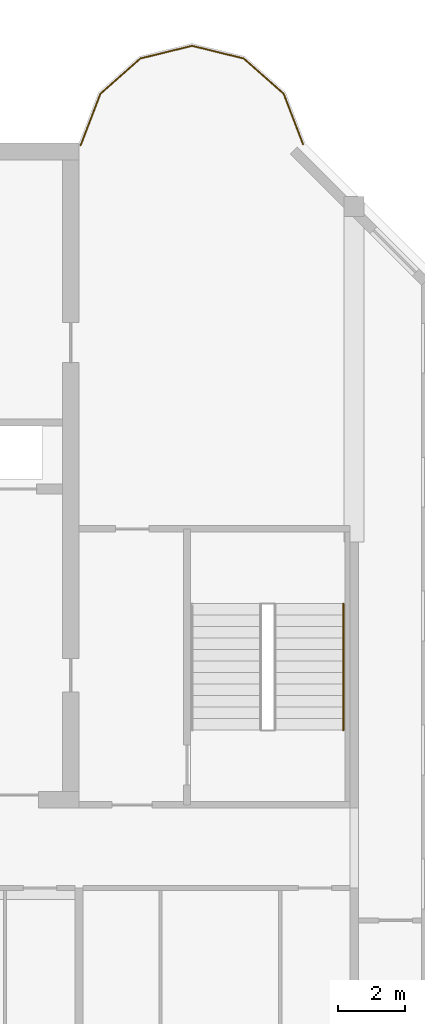
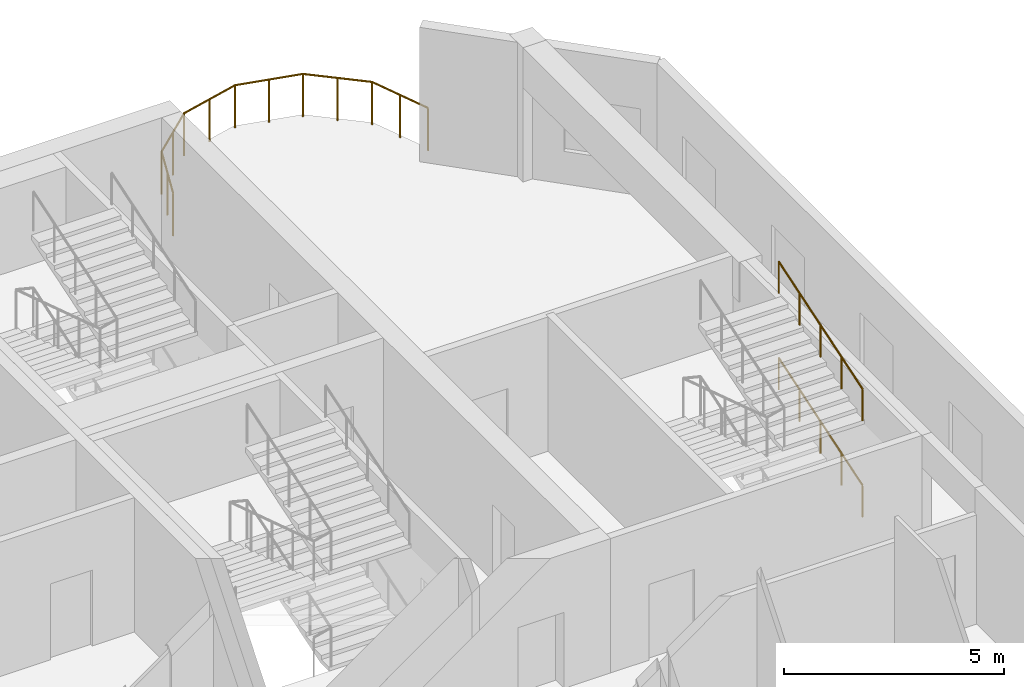
# One storey, part 11 of 12: 3 railings.
"""IFC4 building model written with IfcOpenShell, lengths in metres."""

from ifc_helpers import new_model, si_unit, direction, frame, origin, origin_2d, place, context, subcontext, project, spatial, circle, extrude, source, transform, mapped, material, type_object, element, save


model = new_model("IFC4")

# Units and contexts
model_context = context("Model", 3, precision=1e-05, world=origin(), true_north=direction((0.0, 1.0)))
body_context = subcontext(model_context, "Body", "Model", "MODEL_VIEW")
ifc_project = project(units=[si_unit("LENGTHUNIT", "METRE"), si_unit("AREAUNIT", "SQUARE_METRE"), si_unit("VOLUMEUNIT", "CUBIC_METRE"), si_unit("PLANEANGLEUNIT", "RADIAN"), si_unit("MASSUNIT", "GRAM", prefix="KILO")], contexts=[model_context])

# Site, building, storey
site_placement = place(None, origin())
site = spatial("IfcSite", under=ifc_project, at=site_placement, CompositionType="ELEMENT")
building_placement = place(site_placement, origin())
building = spatial("IfcBuilding", under=site, at=building_placement, Name="Vanashikhar Sky Hotel", CompositionType="ELEMENT")
storey_placement = place(building_placement, frame((0.0, 0.0, 289.699951171875)))
storey = spatial("IfcBuildingStorey", under=building, at=storey_placement, Name="L69", CompositionType="ELEMENT", Elevation=289.699951171875)

# Railings
ifc_material_1 = material(Name="Stainless steel 316", Category="steel")
railing_type_1 = type_object("IfcRailingType", Name="Refuge terrace guard 1200", PredefinedType="GUARDRAIL", material=ifc_material_1)
shared_shape_1 = source(origin(), body_context, "Body", "SweptSolid", [
    extrude(circle(Radius=0.02392578125, at=origin_2d()), frame((0.0, 0.0, 1.17578125), z_axis=(-0.357766549327, 0.933811060216, 0.0), x_axis=(-0.933811060216, -0.357766549327, 0.0)), (0.0, 0.0, 1.0), 1.633056640625),
    extrude(circle(Radius=0.02392578125, at=origin_2d()), frame((-0.584228515625, 1.52490234375, 1.17578125), z_axis=(-0.749699987355, 0.661777854692, 0.0), x_axis=(-0.661777854692, -0.749699987355, 0.0)), (0.0, 0.0, 1.0), 1.602294921875),
    extrude(circle(Radius=0.02392578125, at=origin_2d()), frame((-1.785400390625, 2.585205078125, 1.17578125), z_axis=(-0.971138901218, 0.238514642196, 0.0), x_axis=(-0.238514642196, -0.971138901218, 0.0)), (0.0, 0.0, 1.0), 1.600830078125),
    extrude(circle(Radius=0.02392578125, at=origin_2d()), frame((-3.340087890625, 2.967041015625, 1.17578125), z_axis=(-0.971138901218, -0.238514642196, 0.0), x_axis=(0.238514642196, -0.971138901218, 0.0)), (0.0, 0.0, 1.0), 1.600830078125),
    extrude(circle(Radius=0.02392578125, at=origin_2d()), frame((-4.894775390625, 2.585205078125, 1.17578125), z_axis=(-0.749699987355, -0.661777854692, 0.0), x_axis=(0.661777854692, -0.749699987355, 0.0)), (0.0, 0.0, 1.0), 1.602294921875),
    extrude(circle(Radius=0.02392578125, at=origin_2d()), frame((-6.095947265625, 1.52490234375, 1.17578125), z_axis=(-0.357682612009, -0.933843214392, 0.0), x_axis=(0.933843214392, -0.357682612009, 0.0)), (0.0, 0.0, 1.0), 1.666015625),
    extrude(circle(Radius=0.02099609375, at=origin_2d()), origin(), (0.0, 0.0, 1.0), 1.15185546875),
    extrude(circle(Radius=0.02099609375, at=origin_2d()), frame((-0.2919921875, 0.762451171875, 0.0)), (0.0, 0.0, 1.0), 1.15185546875),
    extrude(circle(Radius=0.02099609375, at=origin_2d()), frame((-0.584228515625, 1.52490234375, 0.0)), (0.0, 0.0, 1.0), 1.15185546875),
    extrude(circle(Radius=0.02099609375, at=origin_2d()), frame((-1.184814453125, 2.05517578125, 0.0)), (0.0, 0.0, 1.0), 1.15185546875),
    extrude(circle(Radius=0.02099609375, at=origin_2d()), frame((-1.785400390625, 2.585205078125, 0.0)), (0.0, 0.0, 1.0), 1.15185546875),
    extrude(circle(Radius=0.02099609375, at=origin_2d()), frame((-2.562744140625, 2.776123046875, 0.0)), (0.0, 0.0, 1.0), 1.15185546875),
    extrude(circle(Radius=0.02099609375, at=origin_2d()), frame((-3.340087890625, 2.967041015625, 0.0)), (0.0, 0.0, 1.0), 1.15185546875),
    extrude(circle(Radius=0.02099609375, at=origin_2d()), frame((-4.117431640625, 2.776123046875, 0.0)), (0.0, 0.0, 1.0), 1.15185546875),
    extrude(circle(Radius=0.02099609375, at=origin_2d()), frame((-4.894775390625, 2.585205078125, 0.0)), (0.0, 0.0, 1.0), 1.15185546875),
    extrude(circle(Radius=0.02099609375, at=origin_2d()), frame((-5.495361328125, 2.05517578125, 0.0)), (0.0, 0.0, 1.0), 1.15185546875),
    extrude(circle(Radius=0.02099609375, at=origin_2d()), frame((-6.095947265625, 1.52490234375, 0.0)), (0.0, 0.0, 1.0), 1.15185546875),
    extrude(circle(Radius=0.02099609375, at=origin_2d()), frame((-6.39404296875, 0.7470703125, 0.0)), (0.0, 0.0, 1.0), 1.15185546875),
    extrude(circle(Radius=0.02099609375, at=origin_2d()), frame((-6.69189453125, -0.031005859375, 0.0)), (0.0, 0.0, 1.0), 1.15185546875),
])
railing_1_placement = place(storey_placement, frame((82.340087890625, 41.9609375, 0.0)))
element("IfcRailing", 1, at=railing_1_placement, inside=storey, type_object=railing_type_1, Name="Refuge terrace guard", PredefinedType="GUARDRAIL", context=body_context, shape_type="MappedRepresentation", body=[
    mapped(shared_shape_1, transform((0.0, 0.0, 0.0), scale=1.0)),
])
ifc_material_2 = material(Name="Steel S355", Category="steel")
railing_type_2 = type_object("IfcRailingType", Name="Stair handrail 900", PredefinedType="HANDRAIL", material=ifc_material_2)
shared_shape_2 = source(origin(), body_context, "Body", "SweptSolid", [
    extrude(circle(Radius=0.02392578125, at=origin_2d()), frame((0.0, 0.0, 0.8759765625), z_axis=(0.0, 0.951969995293, 0.306191325908), x_axis=(-1.0, 0.0, 0.0)), (0.0, 0.0, 1.0), 3.991455078125),
    extrude(circle(Radius=0.02099609375, at=origin_2d()), origin(), (0.0, 0.0, 1.0), 0.851806640625),
    extrude(circle(Radius=0.02099609375, at=origin_2d()), frame((0.0, 0.949951171875, 0.3056640625)), (0.0, 0.0, 1.0), 0.851806640625),
    extrude(circle(Radius=0.02099609375, at=origin_2d()), frame((0.0, 1.89990234375, 0.611083984375)), (0.0, 0.0, 1.0), 0.851806640625),
    extrude(circle(Radius=0.02099609375, at=origin_2d()), frame((0.0, 2.849853515625, 0.91650390625)), (0.0, 0.0, 1.0), 0.851806640625),
    extrude(circle(Radius=0.02099609375, at=origin_2d()), frame((0.0, 3.7998046875, 1.22216796875)), (0.0, 0.0, 1.0), 0.851806640625),
])
railing_2_placement = place(storey_placement, frame((83.550048828125, 24.35009765625, 2.77783203125)))
element("IfcRailing", 2, at=railing_2_placement, inside=storey, type_object=railing_type_2, Name="Exit stair 4 handrail", PredefinedType="HANDRAIL", context=body_context, shape_type="MappedRepresentation", body=[
    mapped(shared_shape_2, transform((0.0, 0.0, 0.0), scale=1.0)),
])
shared_shape_3 = source(origin(), body_context, "Body", "SweptSolid", [
    extrude(circle(Radius=0.02392578125, at=origin_2d()), frame((0.0, 0.0, 0.8759765625), z_axis=(0.0, 0.951952165375, 0.306246754821), x_axis=(-1.0, 0.0, 0.0)), (0.0, 0.0, 1.0), 3.99169921875),
    extrude(circle(Radius=0.02099609375, at=origin_2d()), origin(), (0.0, 0.0, 1.0), 0.851806640625),
    extrude(circle(Radius=0.02099609375, at=origin_2d()), frame((0.0, 0.949951171875, 0.3056640625)), (0.0, 0.0, 1.0), 0.851806640625),
    extrude(circle(Radius=0.02099609375, at=origin_2d()), frame((0.0, 1.89990234375, 0.611328125)), (0.0, 0.0, 1.0), 0.851806640625),
    extrude(circle(Radius=0.02099609375, at=origin_2d()), frame((0.0, 2.849853515625, 0.916748046875)), (0.0, 0.0, 1.0), 0.851806640625),
    extrude(circle(Radius=0.02099609375, at=origin_2d()), frame((0.0, 3.7998046875, 1.222412109375)), (0.0, 0.0, 1.0), 0.851806640625),
])
railing_3_placement = place(storey_placement, frame((83.550048828125, 24.35009765625, 0.111083984375)))
element("IfcRailing", 3, at=railing_3_placement, inside=storey, type_object=railing_type_2, Name="Exit stair 4 handrail", PredefinedType="HANDRAIL", context=body_context, shape_type="MappedRepresentation", body=[
    mapped(shared_shape_3, transform((0.0, 0.0, 0.0), scale=1.0)),
])

save(model, "model.ifc")
